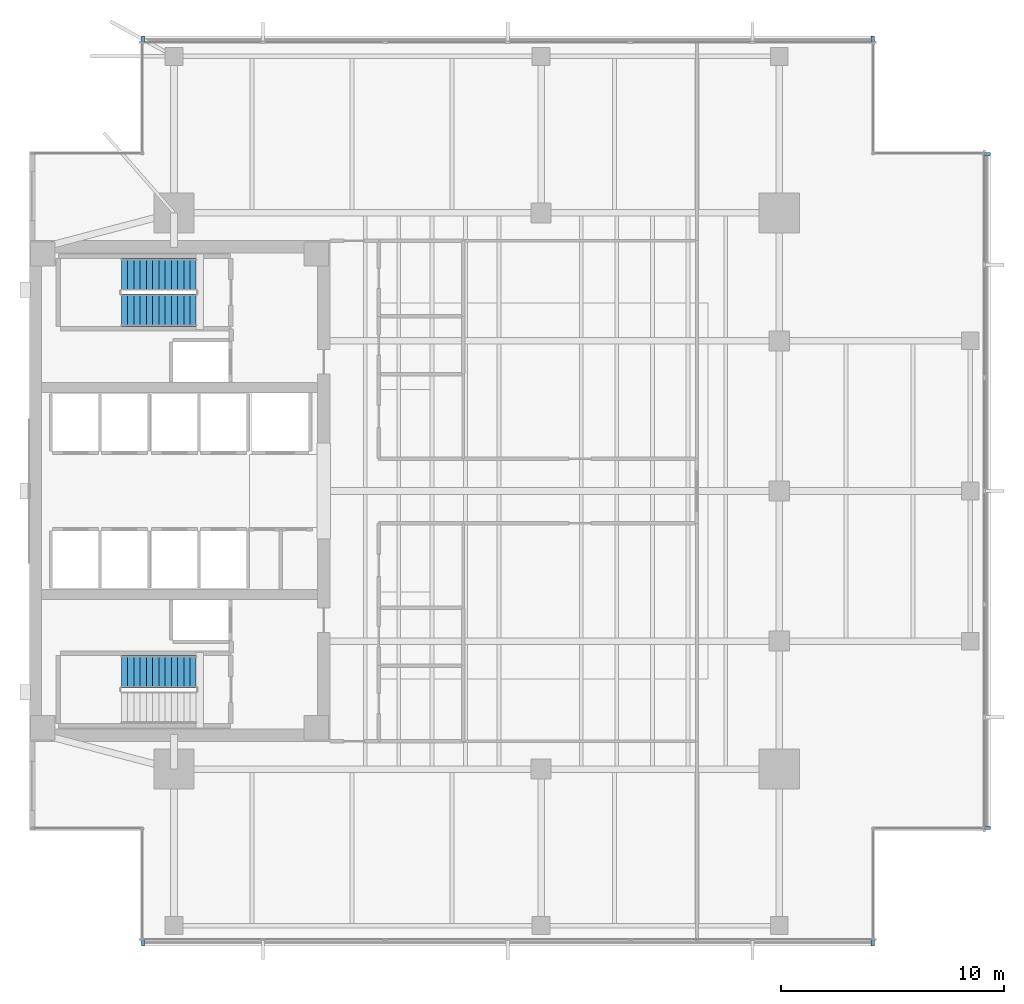
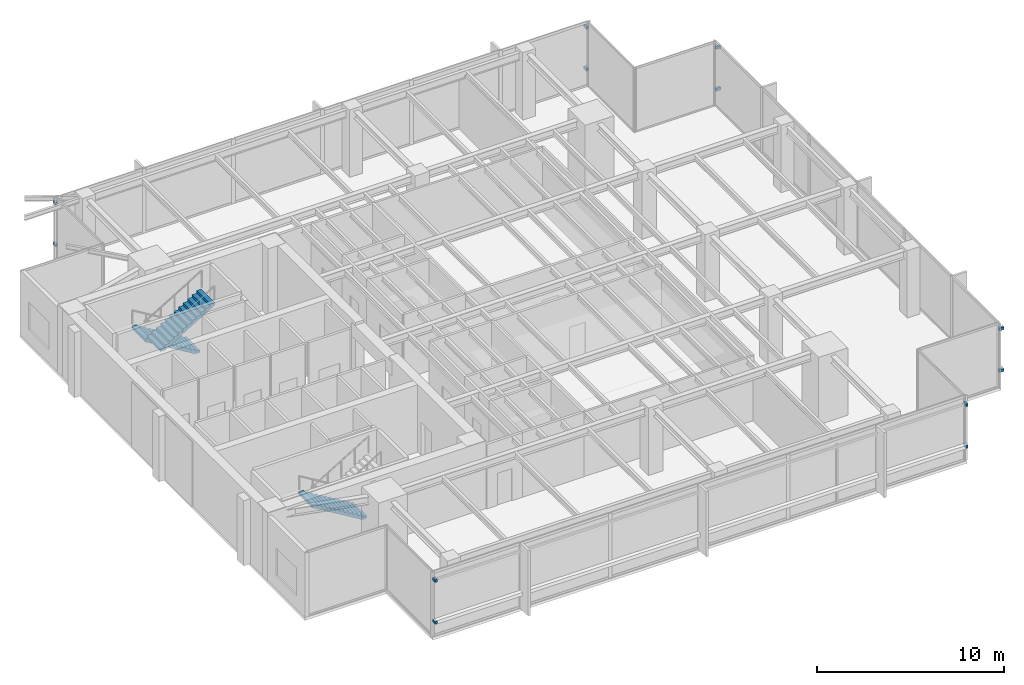
# One storey, part 10 of 14: 12 discrete accessories, 3 stair flights, 2 elements without a shape of their own.
"""IFC4 building model written with IfcOpenShell, lengths in metres."""

from ifc_helpers import new_model, si_unit, direction, frame, origin, origin_2d, place, context, subcontext, project, spatial, polyline, rectangle, outline, extrude, material, type_object, element, aggregate, save


model = new_model("IFC4")

# Units and contexts
model_context = context("Model", 3, precision=1e-05, world=origin(), true_north=direction((0.0, 1.0)))
body_context = subcontext(model_context, "Body", "Model", "MODEL_VIEW")
ifc_project = project(units=[si_unit("LENGTHUNIT", "METRE"), si_unit("AREAUNIT", "SQUARE_METRE"), si_unit("VOLUMEUNIT", "CUBIC_METRE"), si_unit("PLANEANGLEUNIT", "RADIAN"), si_unit("MASSUNIT", "GRAM", prefix="KILO")], contexts=[model_context])

# Site, building, storey
site_placement = place(None, origin())
site = spatial("IfcSite", under=ifc_project, at=site_placement, CompositionType="ELEMENT")
building_placement = place(site_placement, origin())
building = spatial("IfcBuilding", under=site, at=building_placement, Name="Kinhvarn Gate Tower", CompositionType="ELEMENT")
storey_placement = place(building_placement, frame((0.0, 0.0, 183.64990234375)))
storey = spatial("IfcBuildingStorey", under=building, at=storey_placement, Name="L48", CompositionType="ELEMENT", Elevation=183.64990234375)

# Stair, stair flight
ifc_material_1 = material(Name="Concrete C40/50", Category="concrete")
stair_type = type_object("IfcStairType", Name="STR-DLG-169", PredefinedType="HALF_TURN_STAIR", material=ifc_material_1)
stair_1_placement = place(storey_placement, origin())
stair_1 = element("IfcStair", 1, at=stair_1_placement, inside=storey, type_object=stair_type, Name="L48 Core Smokeproof Exit Stair ST1", PredefinedType="HALF_TURN_STAIR")
stair_flight_type = type_object("IfcStairFlightType", Name="STF-DLG-169", PredefinedType="STRAIGHT", material=ifc_material_1)
stair_flight_1_placement = place(storey_placement, frame((12.0, 17.125, 0.0), z_axis=(0.0, 0.0, 1.0), x_axis=(-1.0, 0.0, 0.0)))
stair_flight_1 = element("IfcStairFlight", 2, at=stair_flight_1_placement, type_object=stair_flight_type, Name="ST1 flight 1", NumberOfRisers=13, NumberOfTreads=12, PredefinedType="STRAIGHT", RiserHeight=0.169230769, TreadLength=0.28, context=body_context, shape_type="SweptSolid", body=[
    extrude(outline(polyline([(0.0, 0.0), (0.0, 0.169189453125), (0.280029296875, 0.169189453125), (0.280029296875, 0.33837890625), (0.56005859375, 0.33837890625), (0.56005859375, 0.5078125), (0.840087890625, 0.5078125), (0.840087890625, 0.677001953125), (1.1201171875, 0.677001953125), (1.1201171875, 0.84619140625), (1.39990234375, 0.84619140625), (1.39990234375, 1.015380859375), (1.679931640625, 1.015380859375), (1.679931640625, 1.1845703125), (1.9599609375, 1.1845703125), (1.9599609375, 1.353759765625), (2.239990234375, 1.353759765625), (2.239990234375, 1.523193359375), (2.52001953125, 1.523193359375), (2.52001953125, 1.6923828125), (2.800048828125, 1.6923828125), (2.800048828125, 1.861572265625), (3.080078125, 1.861572265625), (3.080078125, 2.03076171875), (3.360107421875, 2.03076171875), (3.360107421875, 2.199951171875), (3.360107421875, 1.855712890625), (0.289794921875, 0.0), (0.0, 0.0)])), frame((0.0, 0.72509765625, 0.0), z_axis=(0.0, -1.0, 0.0), x_axis=(1.0, 0.0, 0.0)), (0.0, 0.0, 1.0), 1.449951171875),
])
aggregate(stair_1, [stair_flight_1])

# Stair, stair flights
stair_2_placement = place(storey_placement, origin())
stair_2 = element("IfcStair", 3, at=stair_2_placement, inside=storey, type_object=stair_type, Name="L48 Core Smokeproof Exit Stair ST2", PredefinedType="HALF_TURN_STAIR")
stair_flight_2_placement = place(storey_placement, frame((12.0, 34.97509765625, 0.0), z_axis=(0.0, 0.0, 1.0), x_axis=(-1.0, 0.0, 0.0)))
stair_flight_2 = element("IfcStairFlight", 4, at=stair_flight_2_placement, type_object=stair_flight_type, Name="ST2 flight 1", NumberOfRisers=13, NumberOfTreads=12, PredefinedType="STRAIGHT", RiserHeight=0.169230769, TreadLength=0.28, context=body_context, shape_type="SweptSolid", body=[
    extrude(outline(polyline([(0.0, 0.0), (0.0, 0.169189453125), (0.280029296875, 0.169189453125), (0.280029296875, 0.33837890625), (0.56005859375, 0.33837890625), (0.56005859375, 0.5078125), (0.840087890625, 0.5078125), (0.840087890625, 0.677001953125), (1.1201171875, 0.677001953125), (1.1201171875, 0.84619140625), (1.39990234375, 0.84619140625), (1.39990234375, 1.015380859375), (1.679931640625, 1.015380859375), (1.679931640625, 1.1845703125), (1.9599609375, 1.1845703125), (1.9599609375, 1.353759765625), (2.239990234375, 1.353759765625), (2.239990234375, 1.523193359375), (2.52001953125, 1.523193359375), (2.52001953125, 1.6923828125), (2.800048828125, 1.6923828125), (2.800048828125, 1.861572265625), (3.080078125, 1.861572265625), (3.080078125, 2.03076171875), (3.360107421875, 2.03076171875), (3.360107421875, 2.199951171875), (3.360107421875, 1.855712890625), (0.289794921875, 0.0), (0.0, 0.0)])), frame((0.0, 0.72509765625, 0.0), z_axis=(0.0, -1.0, 0.0), x_axis=(1.0, 0.0, 0.0)), (0.0, 0.0, 1.0), 1.449951171875),
])
stair_flight_3_placement = place(storey_placement, frame((8.639892578125, 33.375, 2.2001953125), z_axis=(0.0, 0.0, 1.0), x_axis=(1.0, 0.0, 0.0)))
stair_flight_3 = element("IfcStairFlight", 5, at=stair_flight_3_placement, type_object=stair_flight_type, Name="ST2 flight 2", NumberOfRisers=13, NumberOfTreads=12, PredefinedType="STRAIGHT", RiserHeight=0.169230769, TreadLength=0.28, context=body_context, shape_type="SweptSolid", body=[
    extrude(outline(polyline([(0.0, 0.0), (0.0, 0.169189453125), (0.280029296875, 0.169189453125), (0.280029296875, 0.33837890625), (0.56005859375, 0.33837890625), (0.56005859375, 0.5078125), (0.840087890625, 0.5078125), (0.840087890625, 0.677001953125), (1.1201171875, 0.677001953125), (1.1201171875, 0.84619140625), (1.39990234375, 0.84619140625), (1.39990234375, 1.015380859375), (1.679931640625, 1.015380859375), (1.679931640625, 1.1845703125), (1.9599609375, 1.1845703125), (1.9599609375, 1.353759765625), (2.239990234375, 1.353759765625), (2.239990234375, 1.523193359375), (2.52001953125, 1.523193359375), (2.52001953125, 1.6923828125), (2.800048828125, 1.6923828125), (2.800048828125, 1.861572265625), (3.080078125, 1.861572265625), (3.080078125, 2.03076171875), (3.360107421875, 2.03076171875), (3.360107421875, 2.199951171875), (3.360107421875, 1.855712890625), (0.289794921875, 0.0), (0.0, 0.0)])), frame((0.0, 0.72509765625, 0.0), z_axis=(0.0, -1.0, 0.0), x_axis=(1.0, 0.0, 0.0)), (0.0, 0.0, 1.0), 1.449951171875),
])
aggregate(stair_2, [stair_flight_2, stair_flight_3])

# Discrete accessories
ifc_material_2 = material(Name="Anodised aluminium AW-6063", Category="aluminium")
discrete_accessory_type = type_object("IfcDiscreteAccessoryType", Name="ACC-BRK-01", PredefinedType="BRACKET", material=ifc_material_2)
for number, where, z_axis, x_axis, name in (
    (6, (9.60009765625, 4.93994140625, 0.9599609375), (0.0, 0.0, 1.0), (1.0, 0.0, 0.0), "Baguette Support Bracket BK-01 (L48)"),
    (7, (9.60009765625, 4.93994140625, 3.68017578125), (0.0, 0.0, 1.0), (1.0, 0.0, 0.0), "Baguette Support Bracket BK-01 (L48)"),
    (8, (42.39990234375, 4.93994140625, 0.9599609375), (0.0, 0.0, 1.0), (1.0, 0.0, 0.0), "Baguette Support Bracket BK-01 (L48)"),
    (9, (42.39990234375, 4.93994140625, 3.68017578125), (0.0, 0.0, 1.0), (1.0, 0.0, 0.0), "Baguette Support Bracket BK-01 (L48)"),
    (10, (42.39990234375, 45.56005859375, 0.9599609375), (0.0, 0.0, 1.0), (-1.0, 0.0, 0.0), "Baguette Support Bracket BK-01 (L48)"),
    (11, (42.39990234375, 45.56005859375, 3.68017578125), (0.0, 0.0, 1.0), (-1.0, 0.0, 0.0), "Baguette Support Bracket BK-01 (L48)"),
    (12, (9.60009765625, 45.56005859375, 0.9599609375), (0.0, 0.0, 1.0), (-1.0, 0.0, 0.0), "Baguette Support Bracket BK-01 (L48)"),
    (13, (9.60009765625, 45.56005859375, 3.68017578125), (0.0, 0.0, 1.0), (-1.0, 0.0, 0.0), "Baguette Support Bracket BK-01 (L48)"),
    (14, (47.56005859375, 10.10009765625, 0.9599609375), (0.0, 0.0, 1.0), (0.0, 1.0, 0.0), "Baguette Support Bracket BK-01 (L48)"),
    (15, (47.56005859375, 10.10009765625, 3.68017578125), (0.0, 0.0, 1.0), (0.0, 1.0, 0.0), "Baguette Support Bracket BK-01 (L48)"),
    (16, (47.56005859375, 40.39990234375, 0.9599609375), (0.0, 0.0, 1.0), (0.0, 1.0, 0.0), "Baguette Support Bracket BK-01 (L48)"),
    (17, (47.56005859375, 40.39990234375, 3.68017578125), (0.0, 0.0, 1.0), (0.0, 1.0, 0.0), "Baguette Support Bracket BK-01 (L48)"),
):
    element("IfcDiscreteAccessory", number, at=place(storey_placement, frame(where, z_axis=z_axis, x_axis=x_axis)), inside=storey, type_object=discrete_accessory_type, Name=name, PredefinedType="BRACKET", context=body_context, shape_type="SweptSolid", body=[
        extrude(rectangle(XDim=0.139892578125, YDim=0.280029296875, at=origin_2d()), origin(), (0.0, 0.0, 1.0), 0.179931640625),
    ])

save(model, "model.ifc")
